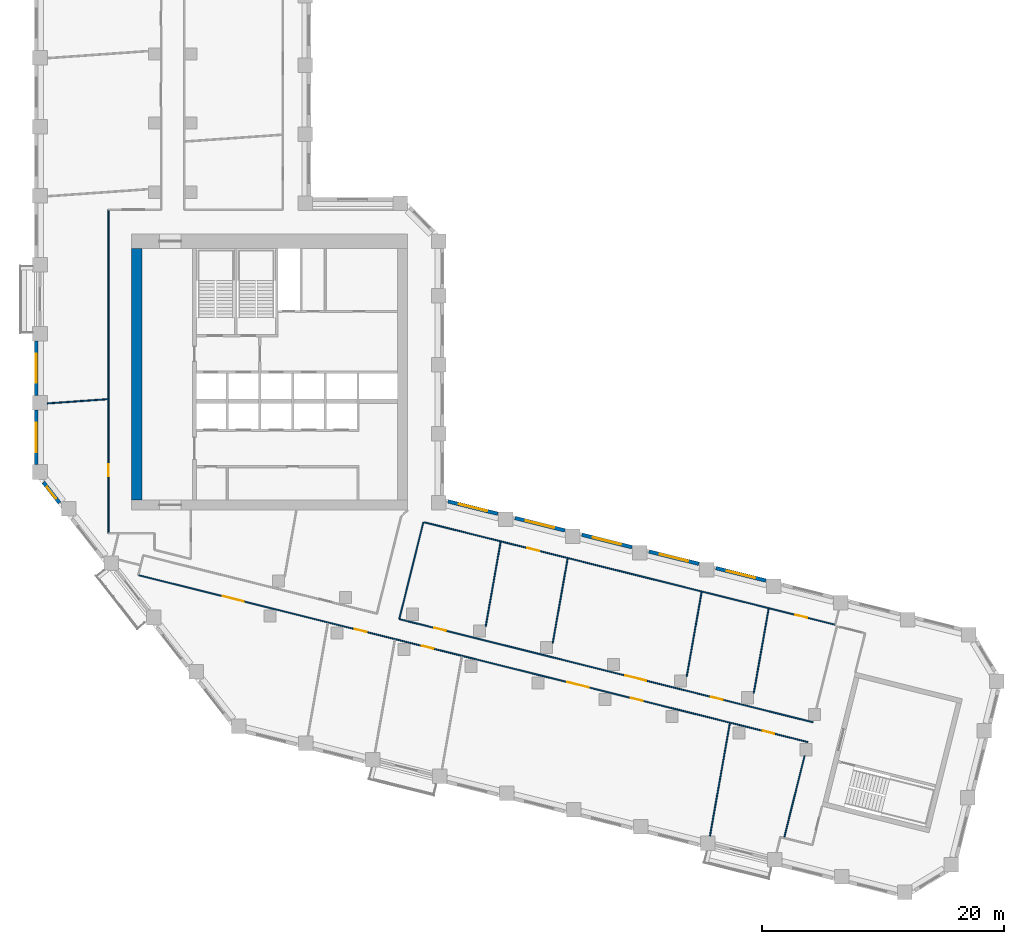
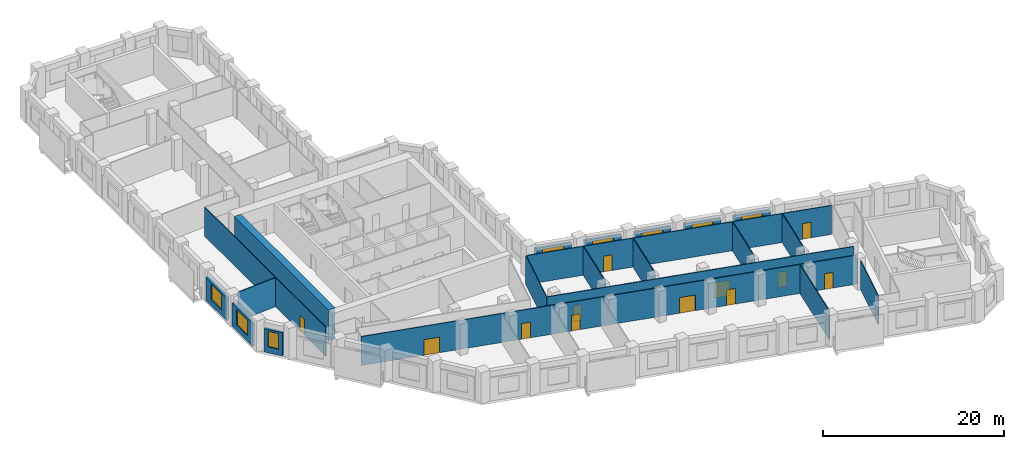
# One storey, part 4 of 10: 21 walls, 12 doors, 8 windows, 20 openings.
"""IFC4 building model written with IfcOpenShell, lengths in metres."""

from ifc_helpers import new_model, si_unit, direction, frame, frame_2d, origin, place, context, subcontext, project, spatial, rectangle, extrude, material, layer, layer_set, type_object, element, fill, save


model = new_model("IFC4")

# Units and contexts
model_context = context("Model", 3, precision=1e-05, world=origin(), true_north=direction((0.0, 1.0)))
body_context = subcontext(model_context, "Body", "Model", "MODEL_VIEW")
ifc_project = project(units=[si_unit("LENGTHUNIT", "METRE"), si_unit("AREAUNIT", "SQUARE_METRE"), si_unit("VOLUMEUNIT", "CUBIC_METRE"), si_unit("PLANEANGLEUNIT", "RADIAN"), si_unit("MASSUNIT", "GRAM", prefix="KILO")], contexts=[model_context])

# Site, building, storey
site_placement = place(None, origin())
site = spatial("IfcSite", under=ifc_project, at=site_placement, CompositionType="ELEMENT")
building_placement = place(site_placement, origin())
building = spatial("IfcBuilding", under=site, at=building_placement, Name="Meshkara Civic Tower", CompositionType="ELEMENT")
storey_placement = place(building_placement, frame((0.0, 0.0, 207.60009765625)))
storey = spatial("IfcBuildingStorey", under=building, at=storey_placement, Name="L47", CompositionType="ELEMENT", Elevation=207.60009765625)

# Wall
ifc_material_1 = material(Name="Concrete C70", Category="concrete")
ifc_layer_1 = layer(ifc_material_1, 0.85009765625)
ifc_layer_set_1 = layer_set([ifc_layer_1], Name="Core ring wall 850 C70")
wall_type_1 = type_object("IfcWallType", Name="Core ring wall 850 C70", PredefinedType="SHEAR", material=ifc_layer_set_1)
wall_1_placement = place(storey_placement, frame((8.425048828125, 14.949951171875, -0.300048828125), z_axis=(0.0, 0.0, 1.0), x_axis=(0.0, 1.0, 0.0)))
element("IfcWall", 1, at=wall_1_placement, inside=storey, type_object=wall_type_1, Name="L47-C003", PredefinedType="SHEAR", context=body_context, shape_type="SweptSolid", body=[
    extrude(rectangle(XDim=20.75, YDim=0.85009765625, at=frame_2d((10.375, 0.0))), origin(), (0.0, 0.0, 1.0), 4.199951171875),
])

# Wall, opening, door
ifc_material_2 = material(Name="Corridor wall 100")
ifc_layer_2 = layer(ifc_material_2, 0.10009765625)
ifc_layer_set_2 = layer_set([ifc_layer_2], Name="Corridor wall 100")
wall_type_2 = type_object("IfcWallType", Name="Corridor wall 100", PredefinedType="PARTITIONING", material=ifc_layer_set_2)
wall_2_placement = place(storey_placement, frame((6.10009765625, 38.89990234375, 0.0), z_axis=(0.0, 0.0, 1.0), x_axis=(0.0, -1.0, 0.0)))
wall_2 = element("IfcWall", 2, at=wall_2_placement, inside=storey, type_object=wall_type_2, Name="L47-W005", PredefinedType="PARTITIONING", context=body_context, shape_type="SweptSolid", body=[
    extrude(rectangle(XDim=26.699951171875, YDim=0.10009765625, at=frame_2d((13.35009765625, 0.0))), origin(), (0.0, 0.0, 1.0), 3.89990234375),
])
opening_1_placement = place(wall_2_placement, frame((21.010009765625, 0.0, 0.0)))
opening_1 = element("IfcOpeningElement", 3, at=opening_1_placement, cuts=wall_2, Name="Opening L47-D015", PredefinedType="OPENING", context=body_context, shape_type="SweptSolid", body=[
    extrude(rectangle(XDim=1.0, YDim=2.10009765625, at=frame_2d((0.5, 1.050048828125))), frame((0.0, 0.06005859375, 0.0), z_axis=(0.0, -1.0, 0.0), x_axis=(1.0, 0.0, 0.0)), (0.0, 0.0, 1.0), 0.1201171875),
])
ifc_material_3 = material(Name="Door 1000 x 2100")
door_type_1 = type_object("IfcDoorType", Name="Door 1000 x 2100", OperationType="SINGLE_SWING_LEFT", PredefinedType="DOOR", material=ifc_material_3)
door_1_placement = place(opening_1_placement, origin())
door_1 = element("IfcDoor", 4, at=door_1_placement, inside=storey, type_object=door_type_1, Name="L47-D015", OperationType="SINGLE_SWING_LEFT", OverallHeight=2.10009765625, OverallWidth=1.0, PredefinedType="DOOR", context=body_context, shape_type="SweptSolid", body=[
    extrude(rectangle(XDim=1.0, YDim=2.10009765625, at=frame_2d((0.5, 1.050048828125))), frame((0.0, 0.02490234375, 0.0), z_axis=(0.0, -1.0, 0.0), x_axis=(1.0, 0.0, 0.0)), (0.0, 0.0, 1.0), 0.050048828125),
])
fill(opening_1, door_1)

# Wall, openings, doors
wall_3_placement = place(storey_placement, frame((8.56494140625, 8.743896484375, 0.0), z_axis=(0.0, 0.0, 1.0), x_axis=(0.970297321886, -0.241915495869, 0.0)))
wall_3 = element("IfcWall", 5, at=wall_3_placement, inside=storey, type_object=wall_type_2, Name="L47-W006", PredefinedType="PARTITIONING", context=body_context, shape_type="SweptSolid", body=[
    extrude(rectangle(XDim=56.974365234375, YDim=0.10009765625, at=frame_2d((28.4873046875, 0.0))), origin(), (0.0, 0.0, 1.0), 3.89990234375),
])
opening_2_placement = place(wall_3_placement, frame((36.513916015625, 0.0, 0.0)))
opening_2 = element("IfcOpeningElement", 6, at=opening_2_placement, cuts=wall_3, Name="Opening L47-D002", PredefinedType="OPENING", context=body_context, shape_type="SweptSolid", body=[
    extrude(rectangle(XDim=1.800048828125, YDim=2.10009765625, at=frame_2d((0.89990234375, 1.050048828125))), frame((0.0, 0.06005859375, 0.0), z_axis=(0.0, -1.0, 0.0), x_axis=(1.0, 0.0, 0.0)), (0.0, 0.0, 1.0), 0.1201171875),
])
opening_3_placement = place(wall_3_placement, frame((41.9140625, 0.0, 0.0)))
opening_3 = element("IfcOpeningElement", 7, at=opening_3_placement, cuts=wall_3, Name="Opening L47-D003", PredefinedType="OPENING", context=body_context, shape_type="SweptSolid", body=[
    extrude(rectangle(XDim=1.0, YDim=2.10009765625, at=frame_2d((0.5, 1.050048828125))), frame((0.0, 0.06005859375, 0.0), z_axis=(0.0, -1.0, 0.0), x_axis=(1.0, 0.0, 0.0)), (0.0, 0.0, 1.0), 0.1201171875),
])
opening_4_placement = place(wall_3_placement, frame((53.113037109375, 0.0, 0.0)))
opening_4 = element("IfcOpeningElement", 8, at=opening_4_placement, cuts=wall_3, Name="Opening L47-D005", PredefinedType="OPENING", context=body_context, shape_type="SweptSolid", body=[
    extrude(rectangle(XDim=1.0, YDim=2.10009765625, at=frame_2d((0.5, 1.050048828125))), frame((0.0, 0.06005859375, 0.0), z_axis=(0.0, -1.0, 0.0), x_axis=(1.0, 0.0, 0.0)), (0.0, 0.0, 1.0), 0.1201171875),
])
opening_5_placement = place(wall_3_placement, frame((18.4130859375, 0.0, 0.0)))
opening_5 = element("IfcOpeningElement", 9, at=opening_5_placement, cuts=wall_3, Name="Opening L47-D006", PredefinedType="OPENING", context=body_context, shape_type="SweptSolid", body=[
    extrude(rectangle(XDim=1.0, YDim=2.10009765625, at=frame_2d((0.5, 1.050048828125))), frame((0.0, 0.06005859375, 0.0), z_axis=(0.0, -1.0, 0.0), x_axis=(1.0, 0.0, 0.0)), (0.0, 0.0, 1.0), 0.1201171875),
])
opening_6_placement = place(wall_3_placement, frame((24.114013671875, 0.0, 0.0)))
opening_6 = element("IfcOpeningElement", 10, at=opening_6_placement, cuts=wall_3, Name="Opening L47-D007", PredefinedType="OPENING", context=body_context, shape_type="SweptSolid", body=[
    extrude(rectangle(XDim=1.0, YDim=2.10009765625, at=frame_2d((0.5, 1.050048828125))), frame((0.0, 0.06005859375, 0.0), z_axis=(0.0, -1.0, 0.0), x_axis=(1.0, 0.0, 0.0)), (0.0, 0.0, 1.0), 0.1201171875),
])
opening_7_placement = place(wall_3_placement, frame((7.179931640625, 0.0, 0.0)))
opening_7 = element("IfcOpeningElement", 11, at=opening_7_placement, cuts=wall_3, Name="Opening L47-D012", PredefinedType="OPENING", context=body_context, shape_type="SweptSolid", body=[
    extrude(rectangle(XDim=1.800048828125, YDim=2.10009765625, at=frame_2d((0.89990234375, 1.050048828125))), frame((0.0, 0.06005859375, 0.0), z_axis=(0.0, -1.0, 0.0), x_axis=(1.0, 0.0, 0.0)), (0.0, 0.0, 1.0), 0.1201171875),
])
door_2_placement = place(opening_3_placement, origin())
door_2 = element("IfcDoor", 12, at=door_2_placement, inside=storey, type_object=door_type_1, Name="L47-D003", OperationType="SINGLE_SWING_LEFT", OverallHeight=2.10009765625, OverallWidth=1.0, PredefinedType="DOOR", context=body_context, shape_type="SweptSolid", body=[
    extrude(rectangle(XDim=1.0, YDim=2.10009765625, at=frame_2d((0.5, 1.050048828125))), frame((0.0, 0.02490234375, 0.0), z_axis=(0.0, -1.0, 0.0), x_axis=(1.0, 0.0, 0.0)), (0.0, 0.0, 1.0), 0.050048828125),
])
fill(opening_3, door_2)
door_3_placement = place(opening_4_placement, origin())
door_3 = element("IfcDoor", 13, at=door_3_placement, inside=storey, type_object=door_type_1, Name="L47-D005", OperationType="SINGLE_SWING_RIGHT", OverallHeight=2.10009765625, OverallWidth=1.0, PredefinedType="DOOR", context=body_context, shape_type="SweptSolid", body=[
    extrude(rectangle(XDim=1.0, YDim=2.10009765625, at=frame_2d((0.5, 1.050048828125))), frame((0.0, 0.02490234375, 0.0), z_axis=(0.0, -1.0, 0.0), x_axis=(1.0, 0.0, 0.0)), (0.0, 0.0, 1.0), 0.050048828125),
])
fill(opening_4, door_3)
door_4_placement = place(opening_5_placement, origin())
door_4 = element("IfcDoor", 14, at=door_4_placement, inside=storey, type_object=door_type_1, Name="L47-D006", OperationType="SINGLE_SWING_RIGHT", OverallHeight=2.10009765625, OverallWidth=1.0, PredefinedType="DOOR", context=body_context, shape_type="SweptSolid", body=[
    extrude(rectangle(XDim=1.0, YDim=2.10009765625, at=frame_2d((0.5, 1.050048828125))), frame((0.0, 0.02490234375, 0.0), z_axis=(0.0, -1.0, 0.0), x_axis=(1.0, 0.0, 0.0)), (0.0, 0.0, 1.0), 0.050048828125),
])
fill(opening_5, door_4)
door_5_placement = place(opening_6_placement, origin())
door_5 = element("IfcDoor", 15, at=door_5_placement, inside=storey, type_object=door_type_1, Name="L47-D007", OperationType="SINGLE_SWING_RIGHT", OverallHeight=2.10009765625, OverallWidth=1.0, PredefinedType="DOOR", context=body_context, shape_type="SweptSolid", body=[
    extrude(rectangle(XDim=1.0, YDim=2.10009765625, at=frame_2d((0.5, 1.050048828125))), frame((0.0, 0.02490234375, 0.0), z_axis=(0.0, -1.0, 0.0), x_axis=(1.0, 0.0, 0.0)), (0.0, 0.0, 1.0), 0.050048828125),
])
fill(opening_6, door_5)
ifc_material_4 = material(Name="Door pair 1800 x 2100")
door_type_2 = type_object("IfcDoorType", Name="Door pair 1800 x 2100", OperationType="SINGLE_SWING_LEFT", PredefinedType="DOOR", material=ifc_material_4)
door_6_placement = place(opening_2_placement, origin())
door_6 = element("IfcDoor", 16, at=door_6_placement, inside=storey, type_object=door_type_2, Name="L47-D002", OperationType="DOUBLE_DOOR_SINGLE_SWING", OverallHeight=2.10009765625, OverallWidth=1.800048828125, PredefinedType="DOOR", context=body_context, shape_type="SweptSolid", body=[
    extrude(rectangle(XDim=1.800048828125, YDim=2.10009765625, at=frame_2d((0.89990234375, 1.050048828125))), frame((0.0, 0.02490234375, 0.0), z_axis=(0.0, -1.0, 0.0), x_axis=(1.0, 0.0, 0.0)), (0.0, 0.0, 1.0), 0.050048828125),
])
fill(opening_2, door_6)
door_7_placement = place(opening_7_placement, origin())
door_7 = element("IfcDoor", 17, at=door_7_placement, inside=storey, type_object=door_type_2, Name="L47-D012", OperationType="DOUBLE_DOOR_SINGLE_SWING", OverallHeight=2.10009765625, OverallWidth=1.800048828125, PredefinedType="DOOR", context=body_context, shape_type="SweptSolid", body=[
    extrude(rectangle(XDim=1.800048828125, YDim=2.10009765625, at=frame_2d((0.89990234375, 1.050048828125))), frame((0.0, 0.02490234375, 0.0), z_axis=(0.0, -1.0, 0.0), x_axis=(1.0, 0.0, 0.0)), (0.0, 0.0, 1.0), 0.050048828125),
])
fill(opening_7, door_7)

wall_4_placement = place(storey_placement, frame((30.10498046875, 5.113037109375, 0.0), z_axis=(0.0, 0.0, 1.0), x_axis=(0.970293689353, -0.241930065106, 0.0)))
wall_4 = element("IfcWall", 18, at=wall_4_placement, inside=storey, type_object=wall_type_2, Name="L47-W022", PredefinedType="PARTITIONING", context=body_context, shape_type="SweptSolid", body=[
    extrude(rectangle(XDim=35.19677734375, YDim=0.10009765625, at=frame_2d((17.598388671875, 0.0))), origin(), (0.0, 0.0, 1.0), 3.89990234375),
])
opening_8_placement = place(wall_4_placement, frame((26.527099609375, 0.0, 0.0)))
opening_8 = element("IfcOpeningElement", 19, at=opening_8_placement, cuts=wall_4, Name="Opening L47-D004", PredefinedType="OPENING", context=body_context, shape_type="SweptSolid", body=[
    extrude(rectangle(XDim=1.0, YDim=2.10009765625, at=frame_2d((0.5, 1.050048828125))), frame((0.0, 0.06005859375, 0.0), z_axis=(0.0, -1.0, 0.0), x_axis=(1.0, 0.0, 0.0)), (0.0, 0.0, 1.0), 0.1201171875),
])
opening_9_placement = place(wall_4_placement, frame((2.97998046875, 0.0, 0.0)))
opening_9 = element("IfcOpeningElement", 20, at=opening_9_placement, cuts=wall_4, Name="Opening L47-D008", PredefinedType="OPENING", context=body_context, shape_type="SweptSolid", body=[
    extrude(rectangle(XDim=1.0, YDim=2.10009765625, at=frame_2d((0.5, 1.050048828125))), frame((0.0, 0.06005859375, 0.0), z_axis=(0.0, -1.0, 0.0), x_axis=(1.0, 0.0, 0.0)), (0.0, 0.0, 1.0), 0.1201171875),
])
opening_10_placement = place(wall_4_placement, frame((19.22705078125, 0.0, 0.0)))
opening_10 = element("IfcOpeningElement", 21, at=opening_10_placement, cuts=wall_4, Name="Opening L47-D009", PredefinedType="OPENING", context=body_context, shape_type="SweptSolid", body=[
    extrude(rectangle(XDim=1.800048828125, YDim=2.10009765625, at=frame_2d((0.89990234375, 1.050048828125))), frame((0.0, 0.06005859375, 0.0), z_axis=(0.0, -1.0, 0.0), x_axis=(1.0, 0.0, 0.0)), (0.0, 0.0, 1.0), 0.1201171875),
])
door_8_placement = place(opening_8_placement, origin())
door_8 = element("IfcDoor", 22, at=door_8_placement, inside=storey, type_object=door_type_1, Name="L47-D004", OperationType="SINGLE_SWING_LEFT", OverallHeight=2.10009765625, OverallWidth=1.0, PredefinedType="DOOR", context=body_context, shape_type="SweptSolid", body=[
    extrude(rectangle(XDim=1.0, YDim=2.10009765625, at=frame_2d((0.5, 1.050048828125))), frame((0.0, 0.02490234375, 0.0), z_axis=(0.0, -1.0, 0.0), x_axis=(1.0, 0.0, 0.0)), (0.0, 0.0, 1.0), 0.050048828125),
])
fill(opening_8, door_8)
door_9_placement = place(opening_9_placement, origin())
door_9 = element("IfcDoor", 23, at=door_9_placement, inside=storey, type_object=door_type_1, Name="L47-D008", OperationType="SINGLE_SWING_LEFT", OverallHeight=2.10009765625, OverallWidth=1.0, PredefinedType="DOOR", context=body_context, shape_type="SweptSolid", body=[
    extrude(rectangle(XDim=1.0, YDim=2.10009765625, at=frame_2d((0.5, 1.050048828125))), frame((0.0, 0.02490234375, 0.0), z_axis=(0.0, -1.0, 0.0), x_axis=(1.0, 0.0, 0.0)), (0.0, 0.0, 1.0), 0.050048828125),
])
fill(opening_9, door_9)
door_10_placement = place(opening_10_placement, origin())
door_10 = element("IfcDoor", 24, at=door_10_placement, inside=storey, type_object=door_type_2, Name="L47-D009", OperationType="DOUBLE_DOOR_SINGLE_SWING", OverallHeight=2.10009765625, OverallWidth=1.800048828125, PredefinedType="DOOR", context=body_context, shape_type="SweptSolid", body=[
    extrude(rectangle(XDim=1.800048828125, YDim=2.10009765625, at=frame_2d((0.89990234375, 1.050048828125))), frame((0.0, 0.02490234375, 0.0), z_axis=(0.0, -1.0, 0.0), x_axis=(1.0, 0.0, 0.0)), (0.0, 0.0, 1.0), 0.050048828125),
])
fill(opening_10, door_10)

# Wall
wall_5_placement = place(storey_placement, frame((30.10498046875, 5.113037109375, 0.0), z_axis=(0.0, 0.0, 1.0), x_axis=(0.241984285369, 0.970280168629, 0.0)))
element("IfcWall", 25, at=wall_5_placement, inside=storey, type_object=wall_type_2, Name="L47-W023", PredefinedType="PARTITIONING", context=body_context, shape_type="SweptSolid", body=[
    extrude(rectangle(XDim=8.231689453125, YDim=0.10009765625, at=frame_2d((4.11572265625, 0.0))), origin(), (0.0, 0.0, 1.0), 3.89990234375),
])

# Wall, openings, doors
wall_6_placement = place(storey_placement, frame((32.196044921875, 13.10009765625, 0.0), z_axis=(0.0, 0.0, 1.0), x_axis=(0.970294028693, -0.241928704129, 0.0)))
wall_6 = element("IfcWall", 26, at=wall_6_placement, inside=storey, type_object=wall_type_2, Name="L47-W026", PredefinedType="PARTITIONING", context=body_context, shape_type="SweptSolid", body=[
    extrude(rectangle(XDim=34.928466796875, YDim=0.10009765625, at=frame_2d((17.46435546875, 0.0))), origin(), (0.0, 0.0, 1.0), 3.89990234375),
])
opening_11_placement = place(wall_6_placement, frame((31.55810546875, 0.0, 0.0)))
opening_11 = element("IfcOpeningElement", 27, at=opening_11_placement, cuts=wall_6, Name="Opening L47-D010", PredefinedType="OPENING", context=body_context, shape_type="SweptSolid", body=[
    extrude(rectangle(XDim=1.0, YDim=2.10009765625, at=frame_2d((0.5, 1.050048828125))), frame((0.0, 0.06005859375, 0.0), z_axis=(0.0, -1.0, 0.0), x_axis=(1.0, 0.0, 0.0)), (0.0, 0.0, 1.0), 0.1201171875),
])
opening_12_placement = place(wall_6_placement, frame((8.757080078125, 0.0, 0.0)))
opening_12 = element("IfcOpeningElement", 28, at=opening_12_placement, cuts=wall_6, Name="Opening L47-D014", PredefinedType="OPENING", context=body_context, shape_type="SweptSolid", body=[
    extrude(rectangle(XDim=1.0, YDim=2.10009765625, at=frame_2d((0.5, 1.050048828125))), frame((0.0, 0.06005859375, 0.0), z_axis=(0.0, -1.0, 0.0), x_axis=(1.0, 0.0, 0.0)), (0.0, 0.0, 1.0), 0.1201171875),
])
door_11_placement = place(opening_11_placement, origin())
door_11 = element("IfcDoor", 29, at=door_11_placement, inside=storey, type_object=door_type_1, Name="L47-D010", OperationType="SINGLE_SWING_RIGHT", OverallHeight=2.10009765625, OverallWidth=1.0, PredefinedType="DOOR", context=body_context, shape_type="SweptSolid", body=[
    extrude(rectangle(XDim=1.0, YDim=2.10009765625, at=frame_2d((0.5, 1.050048828125))), frame((0.0, 0.02490234375, 0.0), z_axis=(0.0, -1.0, 0.0), x_axis=(1.0, 0.0, 0.0)), (0.0, 0.0, 1.0), 0.050048828125),
])
fill(opening_11, door_11)
door_12_placement = place(opening_12_placement, origin())
door_12 = element("IfcDoor", 30, at=door_12_placement, inside=storey, type_object=door_type_1, Name="L47-D014", OperationType="SINGLE_SWING_RIGHT", OverallHeight=2.10009765625, OverallWidth=1.0, PredefinedType="DOOR", context=body_context, shape_type="SweptSolid", body=[
    extrude(rectangle(XDim=1.0, YDim=2.10009765625, at=frame_2d((0.5, 1.050048828125))), frame((0.0, 0.02490234375, 0.0), z_axis=(0.0, -1.0, 0.0), x_axis=(1.0, 0.0, 0.0)), (0.0, 0.0, 1.0), 0.050048828125),
])
fill(opening_12, door_12)

# Wall
wall_7_placement = place(storey_placement, frame((63.56494140625, -6.1708984375, 0.0), z_axis=(0.0, 0.0, 1.0), x_axis=(-0.241919179606, -0.970296403445, 0.0)))
element("IfcWall", 31, at=wall_7_placement, inside=storey, type_object=wall_type_2, Name="L47-W028", PredefinedType="PARTITIONING", context=body_context, shape_type="SweptSolid", body=[
    extrude(rectangle(XDim=6.989501953125, YDim=0.10009765625, at=frame_2d((3.49462890625, 0.0))), origin(), (0.0, 0.0, 1.0), 3.89990234375),
])

# Wall, opening, window
ifc_material_5 = material(Name="Insulated infill panel with bronze anodised aluminium cladding", Category="aluminium")
ifc_layer_3 = layer(ifc_material_5, 0.300048828125)
ifc_layer_set_3 = layer_set([ifc_layer_3], Name="EXTERNAL INFILL WALL 300")
wall_type_3 = type_object("IfcWallType", Name="EXTERNAL INFILL WALL 300", PredefinedType="SOLIDWALL", material=ifc_layer_set_3)
wall_8_placement = place(storey_placement, frame((60.3701171875, 8.291015625, 0.0), z_axis=(0.0, 0.0, 1.0), x_axis=(-0.970291164166, 0.241940192487, 0.0)))
wall_8 = element("IfcWall", 32, at=wall_8_placement, inside=storey, type_object=wall_type_3, Name="External wall", PredefinedType="SOLIDWALL", context=body_context, shape_type="SweptSolid", body=[
    extrude(rectangle(XDim=4.245361328125, YDim=0.300048828125, at=frame_2d((2.12255859375, 0.0))), origin(), (0.0, 0.0, 1.0), 3.14990234375),
])
opening_13_placement = place(wall_8_placement, frame((0.922119140625, 0.0, 0.800048828125)))
opening_13 = element("IfcOpeningElement", 33, at=opening_13_placement, cuts=wall_8, Name="Opening W7", PredefinedType="OPENING", context=body_context, shape_type="SweptSolid", body=[
    extrude(rectangle(XDim=2.39990234375, YDim=2.10009765625, at=frame_2d((1.199951171875, 1.050048828125))), frame((0.0, 0.159912109375, 0.0), z_axis=(0.0, -1.0, 0.0), x_axis=(1.0, 0.0, 0.0)), (0.0, 0.0, 1.0), 0.320068359375),
])
ifc_material_6 = material(Name="Tinted double glazing", Category="glass")
window_type_1 = type_object("IfcWindowType", Name="WINDOW 2400x2100", PartitioningType="DOUBLE_PANEL_VERTICAL", PredefinedType="WINDOW", material=ifc_material_6)
window_1_placement = place(opening_13_placement, origin())
window_1 = element("IfcWindow", 34, at=window_1_placement, inside=storey, type_object=window_type_1, Name="Window", OverallHeight=2.10009765625, OverallWidth=2.39990234375, PartitioningType="DOUBLE_PANEL_VERTICAL", PredefinedType="WINDOW", context=body_context, shape_type="SweptSolid", body=[
    extrude(rectangle(XDim=2.39990234375, YDim=2.10009765625, at=frame_2d((1.199951171875, 1.050048828125))), frame((0.0, 0.030029296875, 0.0), z_axis=(0.0, -1.0, 0.0), x_axis=(1.0, 0.0, 0.0)), (0.0, 0.0, 1.0), 0.06005859375),
])
fill(opening_13, window_1)

wall_9_placement = place(storey_placement, frame((54.840087890625, 9.669921875, 0.0), z_axis=(0.0, 0.0, 1.0), x_axis=(-0.97030462482, 0.241886202691, 0.0)))
wall_9 = element("IfcWall", 35, at=wall_9_placement, inside=storey, type_object=wall_type_3, Name="External wall", PredefinedType="SOLIDWALL", context=body_context, shape_type="SweptSolid", body=[
    extrude(rectangle(XDim=4.24609375, YDim=0.300048828125, at=frame_2d((2.123046875, 0.0))), origin(), (0.0, 0.0, 1.0), 3.14990234375),
])
opening_14_placement = place(wall_9_placement, frame((0.923095703125, 0.0, 0.800048828125)))
opening_14 = element("IfcOpeningElement", 36, at=opening_14_placement, cuts=wall_9, Name="Opening W7", PredefinedType="OPENING", context=body_context, shape_type="SweptSolid", body=[
    extrude(rectangle(XDim=2.39990234375, YDim=2.10009765625, at=frame_2d((1.199951171875, 1.050048828125))), frame((0.0, 0.159912109375, 0.0), z_axis=(0.0, -1.0, 0.0), x_axis=(1.0, 0.0, 0.0)), (0.0, 0.0, 1.0), 0.320068359375),
])
window_2_placement = place(opening_14_placement, origin())
window_2 = element("IfcWindow", 37, at=window_2_placement, inside=storey, type_object=window_type_1, Name="Window", OverallHeight=2.10009765625, OverallWidth=2.39990234375, PartitioningType="DOUBLE_PANEL_VERTICAL", PredefinedType="WINDOW", context=body_context, shape_type="SweptSolid", body=[
    extrude(rectangle(XDim=2.39990234375, YDim=2.10009765625, at=frame_2d((1.199951171875, 1.050048828125))), frame((0.0, 0.030029296875, 0.0), z_axis=(0.0, -1.0, 0.0), x_axis=(1.0, 0.0, 0.0)), (0.0, 0.0, 1.0), 0.06005859375),
])
fill(opening_14, window_2)

wall_10_placement = place(storey_placement, frame((49.30908203125, 11.049072265625, 0.0), z_axis=(0.0, 0.0, 1.0), x_axis=(-0.970264129329, 0.242048588793, 0.0)))
wall_10 = element("IfcWall", 38, at=wall_10_placement, inside=storey, type_object=wall_type_3, Name="External wall", PredefinedType="SOLIDWALL", context=body_context, shape_type="SweptSolid", body=[
    extrude(rectangle(XDim=4.246337890625, YDim=0.300048828125, at=frame_2d((2.123046875, 0.0))), origin(), (0.0, 0.0, 1.0), 3.14990234375),
])
opening_15_placement = place(wall_10_placement, frame((0.923095703125, 0.0, 0.800048828125)))
opening_15 = element("IfcOpeningElement", 39, at=opening_15_placement, cuts=wall_10, Name="Opening W7", PredefinedType="OPENING", context=body_context, shape_type="SweptSolid", body=[
    extrude(rectangle(XDim=2.39990234375, YDim=2.10009765625, at=frame_2d((1.199951171875, 1.050048828125))), frame((0.0, 0.159912109375, 0.0), z_axis=(0.0, -1.0, 0.0), x_axis=(1.0, 0.0, 0.0)), (0.0, 0.0, 1.0), 0.320068359375),
])
window_3_placement = place(opening_15_placement, origin())
window_3 = element("IfcWindow", 40, at=window_3_placement, inside=storey, type_object=window_type_1, Name="Window", OverallHeight=2.10009765625, OverallWidth=2.39990234375, PartitioningType="DOUBLE_PANEL_VERTICAL", PredefinedType="WINDOW", context=body_context, shape_type="SweptSolid", body=[
    extrude(rectangle(XDim=2.39990234375, YDim=2.10009765625, at=frame_2d((1.199951171875, 1.050048828125))), frame((0.0, 0.030029296875, 0.0), z_axis=(0.0, -1.0, 0.0), x_axis=(1.0, 0.0, 0.0)), (0.0, 0.0, 1.0), 0.06005859375),
])
fill(opening_15, window_3)

wall_11_placement = place(storey_placement, frame((43.778076171875, 12.427978515625, 0.0), z_axis=(0.0, 0.0, 1.0), x_axis=(-0.970291164166, 0.241940192487, 0.0)))
wall_11 = element("IfcWall", 41, at=wall_11_placement, inside=storey, type_object=wall_type_3, Name="External wall", PredefinedType="SOLIDWALL", context=body_context, shape_type="SweptSolid", body=[
    extrude(rectangle(XDim=4.245361328125, YDim=0.300048828125, at=frame_2d((2.12255859375, 0.0))), origin(), (0.0, 0.0, 1.0), 3.14990234375),
])
opening_16_placement = place(wall_11_placement, frame((0.922119140625, 0.0, 0.800048828125)))
opening_16 = element("IfcOpeningElement", 42, at=opening_16_placement, cuts=wall_11, Name="Opening W7", PredefinedType="OPENING", context=body_context, shape_type="SweptSolid", body=[
    extrude(rectangle(XDim=2.39990234375, YDim=2.10009765625, at=frame_2d((1.199951171875, 1.050048828125))), frame((0.0, 0.159912109375, 0.0), z_axis=(0.0, -1.0, 0.0), x_axis=(1.0, 0.0, 0.0)), (0.0, 0.0, 1.0), 0.320068359375),
])
window_4_placement = place(opening_16_placement, origin())
window_4 = element("IfcWindow", 43, at=window_4_placement, inside=storey, type_object=window_type_1, Name="Window", OverallHeight=2.10009765625, OverallWidth=2.39990234375, PartitioningType="DOUBLE_PANEL_VERTICAL", PredefinedType="WINDOW", context=body_context, shape_type="SweptSolid", body=[
    extrude(rectangle(XDim=2.39990234375, YDim=2.10009765625, at=frame_2d((1.199951171875, 1.050048828125))), frame((0.0, 0.030029296875, 0.0), z_axis=(0.0, -1.0, 0.0), x_axis=(1.0, 0.0, 0.0)), (0.0, 0.0, 1.0), 0.06005859375),
])
fill(opening_16, window_4)

wall_12_placement = place(storey_placement, frame((38.248046875, 13.806884765625, 0.0), z_axis=(0.0, 0.0, 1.0), x_axis=(-0.970250625545, 0.242102712975, 0.0)))
wall_12 = element("IfcWall", 44, at=wall_12_placement, inside=storey, type_object=wall_type_3, Name="External wall", PredefinedType="SOLIDWALL", context=body_context, shape_type="SweptSolid", body=[
    extrude(rectangle(XDim=4.246337890625, YDim=0.300048828125, at=frame_2d((2.123046875, 0.0))), origin(), (0.0, 0.0, 1.0), 3.14990234375),
])
opening_17_placement = place(wall_12_placement, frame((0.923095703125, 0.0, 0.800048828125)))
opening_17 = element("IfcOpeningElement", 45, at=opening_17_placement, cuts=wall_12, Name="Opening W7", PredefinedType="OPENING", context=body_context, shape_type="SweptSolid", body=[
    extrude(rectangle(XDim=2.39990234375, YDim=2.10009765625, at=frame_2d((1.199951171875, 1.050048828125))), frame((0.0, 0.159912109375, 0.0), z_axis=(0.0, -1.0, 0.0), x_axis=(1.0, 0.0, 0.0)), (0.0, 0.0, 1.0), 0.320068359375),
])
window_5_placement = place(opening_17_placement, origin())
window_5 = element("IfcWindow", 46, at=window_5_placement, inside=storey, type_object=window_type_1, Name="Window", OverallHeight=2.10009765625, OverallWidth=2.39990234375, PartitioningType="DOUBLE_PANEL_VERTICAL", PredefinedType="WINDOW", context=body_context, shape_type="SweptSolid", body=[
    extrude(rectangle(XDim=2.39990234375, YDim=2.10009765625, at=frame_2d((1.199951171875, 1.050048828125))), frame((0.0, 0.030029296875, 0.0), z_axis=(0.0, -1.0, 0.0), x_axis=(1.0, 0.0, 0.0)), (0.0, 0.0, 1.0), 0.06005859375),
])
fill(opening_17, window_5)

wall_13_placement = place(storey_placement, frame((0.14990234375, 28.054931640625, 0.0), z_axis=(0.0, 0.0, 1.0), x_axis=(0.0, -1.0, 0.0)))
wall_13 = element("IfcWall", 47, at=wall_13_placement, inside=storey, type_object=wall_type_3, Name="External wall", PredefinedType="SOLIDWALL", context=body_context, shape_type="SweptSolid", body=[
    extrude(rectangle(XDim=4.5, YDim=0.300048828125, at=frame_2d((2.25, 0.0))), origin(), (0.0, 0.0, 1.0), 3.14990234375),
])
opening_18_placement = place(wall_13_placement, frame((1.050048828125, 0.0, 0.800048828125)))
opening_18 = element("IfcOpeningElement", 48, at=opening_18_placement, cuts=wall_13, Name="Opening W7", PredefinedType="OPENING", context=body_context, shape_type="SweptSolid", body=[
    extrude(rectangle(XDim=2.39990234375, YDim=2.10009765625, at=frame_2d((1.199951171875, 1.050048828125))), frame((0.0, 0.159912109375, 0.0), z_axis=(0.0, -1.0, 0.0), x_axis=(1.0, 0.0, 0.0)), (0.0, 0.0, 1.0), 0.320068359375),
])
window_6_placement = place(opening_18_placement, origin())
window_6 = element("IfcWindow", 49, at=window_6_placement, inside=storey, type_object=window_type_1, Name="Window", OverallHeight=2.10009765625, OverallWidth=2.39990234375, PartitioningType="DOUBLE_PANEL_VERTICAL", PredefinedType="WINDOW", context=body_context, shape_type="SweptSolid", body=[
    extrude(rectangle(XDim=2.39990234375, YDim=2.10009765625, at=frame_2d((1.199951171875, 1.050048828125))), frame((0.0, 0.030029296875, 0.0), z_axis=(0.0, -1.0, 0.0), x_axis=(1.0, 0.0, 0.0)), (0.0, 0.0, 1.0), 0.06005859375),
])
fill(opening_18, window_6)

wall_14_placement = place(storey_placement, frame((0.14990234375, 22.35498046875, 0.0), z_axis=(0.0, 0.0, 1.0), x_axis=(0.0, -1.0, 0.0)))
wall_14 = element("IfcWall", 50, at=wall_14_placement, inside=storey, type_object=wall_type_3, Name="External wall", PredefinedType="SOLIDWALL", context=body_context, shape_type="SweptSolid", body=[
    extrude(rectangle(XDim=4.5, YDim=0.300048828125, at=frame_2d((2.25, 0.0))), origin(), (0.0, 0.0, 1.0), 3.14990234375),
])
opening_19_placement = place(wall_14_placement, frame((1.050048828125, 0.0, 0.800048828125)))
opening_19 = element("IfcOpeningElement", 51, at=opening_19_placement, cuts=wall_14, Name="Opening W7", PredefinedType="OPENING", context=body_context, shape_type="SweptSolid", body=[
    extrude(rectangle(XDim=2.39990234375, YDim=2.10009765625, at=frame_2d((1.199951171875, 1.050048828125))), frame((0.0, 0.159912109375, 0.0), z_axis=(0.0, -1.0, 0.0), x_axis=(1.0, 0.0, 0.0)), (0.0, 0.0, 1.0), 0.320068359375),
])
window_7_placement = place(opening_19_placement, origin())
window_7 = element("IfcWindow", 52, at=window_7_placement, inside=storey, type_object=window_type_1, Name="Window", OverallHeight=2.10009765625, OverallWidth=2.39990234375, PartitioningType="DOUBLE_PANEL_VERTICAL", PredefinedType="WINDOW", context=body_context, shape_type="SweptSolid", body=[
    extrude(rectangle(XDim=2.39990234375, YDim=2.10009765625, at=frame_2d((1.199951171875, 1.050048828125))), frame((0.0, 0.030029296875, 0.0), z_axis=(0.0, -1.0, 0.0), x_axis=(1.0, 0.0, 0.0)), (0.0, 0.0, 1.0), 0.06005859375),
])
fill(opening_19, window_7)

wall_15_placement = place(storey_placement, frame((0.73193359375, 16.406982421875, 0.0), z_axis=(0.0, 0.0, 1.0), x_axis=(0.615593496459, -0.788063859797, 0.0)))
wall_15 = element("IfcWall", 53, at=wall_15_placement, inside=storey, type_object=wall_type_3, Name="External wall", PredefinedType="SOLIDWALL", context=body_context, shape_type="SweptSolid", body=[
    extrude(rectangle(XDim=2.156005859375, YDim=0.300048828125, at=frame_2d((1.078125, 0.0))), origin(), (0.0, 0.0, 1.0), 3.14990234375),
])
opening_20_placement = place(wall_15_placement, frame((0.47802734375, 0.0, 0.800048828125)))
opening_20 = element("IfcOpeningElement", 54, at=opening_20_placement, cuts=wall_15, Name="Opening W3", PredefinedType="OPENING", context=body_context, shape_type="SweptSolid", body=[
    extrude(rectangle(XDim=1.199951171875, YDim=2.10009765625, at=frame_2d((0.60009765625, 1.050048828125))), frame((0.0, 0.159912109375, 0.0), z_axis=(0.0, -1.0, 0.0), x_axis=(1.0, 0.0, 0.0)), (0.0, 0.0, 1.0), 0.320068359375),
])
ifc_material_7 = material(Name="Tinted double glazing", Category="glass")
window_type_2 = type_object("IfcWindowType", Name="WINDOW 1200x2100", PartitioningType="SINGLE_PANEL", PredefinedType="WINDOW", material=ifc_material_7)
window_8_placement = place(opening_20_placement, origin())
window_8 = element("IfcWindow", 55, at=window_8_placement, inside=storey, type_object=window_type_2, Name="Window", OverallHeight=2.10009765625, OverallWidth=1.199951171875, PartitioningType="SINGLE_PANEL", PredefinedType="WINDOW", context=body_context, shape_type="SweptSolid", body=[
    extrude(rectangle(XDim=1.199951171875, YDim=2.10009765625, at=frame_2d((0.60009765625, 1.050048828125))), frame((0.0, 0.030029296875, 0.0), z_axis=(0.0, -1.0, 0.0), x_axis=(1.0, 0.0, 0.0)), (0.0, 0.0, 1.0), 0.06005859375),
])
fill(opening_20, window_8)

# Walls
ifc_material_8 = material(Name="Partition 100")
ifc_layer_4 = layer(ifc_material_8, 0.10009765625)
ifc_layer_set_4 = layer_set([ifc_layer_4], Name="Partition 100")
wall_type_4 = type_object("IfcWallType", Name="Partition 100", PredefinedType="PARTITIONING", material=ifc_layer_set_4)
wall_16_placement = place(storey_placement, frame((6.047119140625, 23.26611328125, 0.0), z_axis=(0.0, 0.0, 1.0), x_axis=(-0.99755475556, -0.069889267123, 0.0)))
element("IfcWall", 56, at=wall_16_placement, inside=storey, type_object=wall_type_4, Name="L47-W036", PredefinedType="PARTITIONING", context=body_context, shape_type="SweptSolid", body=[
    extrude(rectangle(XDim=5.00927734375, YDim=0.10009765625, at=frame_2d((2.504638671875, 0.0))), origin(), (0.0, 0.0, 1.0), 3.89990234375),
])
wall_17_placement = place(storey_placement, frame((37.241943359375, 4.506103515625, 0.0), z_axis=(0.0, 0.0, 1.0), x_axis=(0.173688962869, 0.98480056061, 0.0)))
element("IfcWall", 57, at=wall_17_placement, inside=storey, type_object=wall_type_4, Name="L47-W047", PredefinedType="PARTITIONING", context=body_context, shape_type="SweptSolid", body=[
    extrude(rectangle(XDim=7.08154296875, YDim=0.10009765625, at=frame_2d((3.540771484375, 0.0))), origin(), (0.0, 0.0, 1.0), 3.89990234375),
])
wall_18_placement = place(storey_placement, frame((42.77197265625, 3.12109375, 0.0), z_axis=(0.0, 0.0, 1.0), x_axis=(0.173675291482, 0.98480297173, 0.0)))
element("IfcWall", 58, at=wall_18_placement, inside=storey, type_object=wall_type_4, Name="L47-W048", PredefinedType="PARTITIONING", context=body_context, shape_type="SweptSolid", body=[
    extrude(rectangle(XDim=7.087646484375, YDim=0.10009765625, at=frame_2d((3.5439453125, 0.0))), origin(), (0.0, 0.0, 1.0), 3.89990234375),
])
wall_19_placement = place(storey_placement, frame((53.833984375, 0.368896484375, 0.0), z_axis=(0.0, 0.0, 1.0), x_axis=(0.173683066019, 0.984801600617, 0.0)))
element("IfcWall", 59, at=wall_19_placement, inside=storey, type_object=wall_type_4, Name="L47-W049", PredefinedType="PARTITIONING", context=body_context, shape_type="SweptSolid", body=[
    extrude(rectangle(XDim=7.081787109375, YDim=0.10009765625, at=frame_2d((3.541015625, 0.0))), origin(), (0.0, 0.0, 1.0), 3.89990234375),
])
wall_20_placement = place(storey_placement, frame((55.7529296875, -12.7900390625, 0.0), z_axis=(0.0, 0.0, 1.0), x_axis=(0.17370720156, 0.984797343684, 0.0)))
element("IfcWall", 60, at=wall_20_placement, inside=storey, type_object=wall_type_4, Name="L47-W050", PredefinedType="PARTITIONING", context=body_context, shape_type="SweptSolid", body=[
    extrude(rectangle(XDim=9.447509765625, YDim=0.10009765625, at=frame_2d((4.7236328125, 0.0))), origin(), (0.0, 0.0, 1.0), 3.89990234375),
])
wall_21_placement = place(storey_placement, frame((59.364013671875, -1.01611328125, 0.0), z_axis=(0.0, 0.0, 1.0), x_axis=(0.173669400223, 0.984804010667, 0.0)))
element("IfcWall", 61, at=wall_21_placement, inside=storey, type_object=wall_type_4, Name="L47-W051", PredefinedType="PARTITIONING", context=body_context, shape_type="SweptSolid", body=[
    extrude(rectangle(XDim=7.087890625, YDim=0.10009765625, at=frame_2d((3.5439453125, 0.0))), origin(), (0.0, 0.0, 1.0), 3.89990234375),
])

save(model, "model.ifc")
